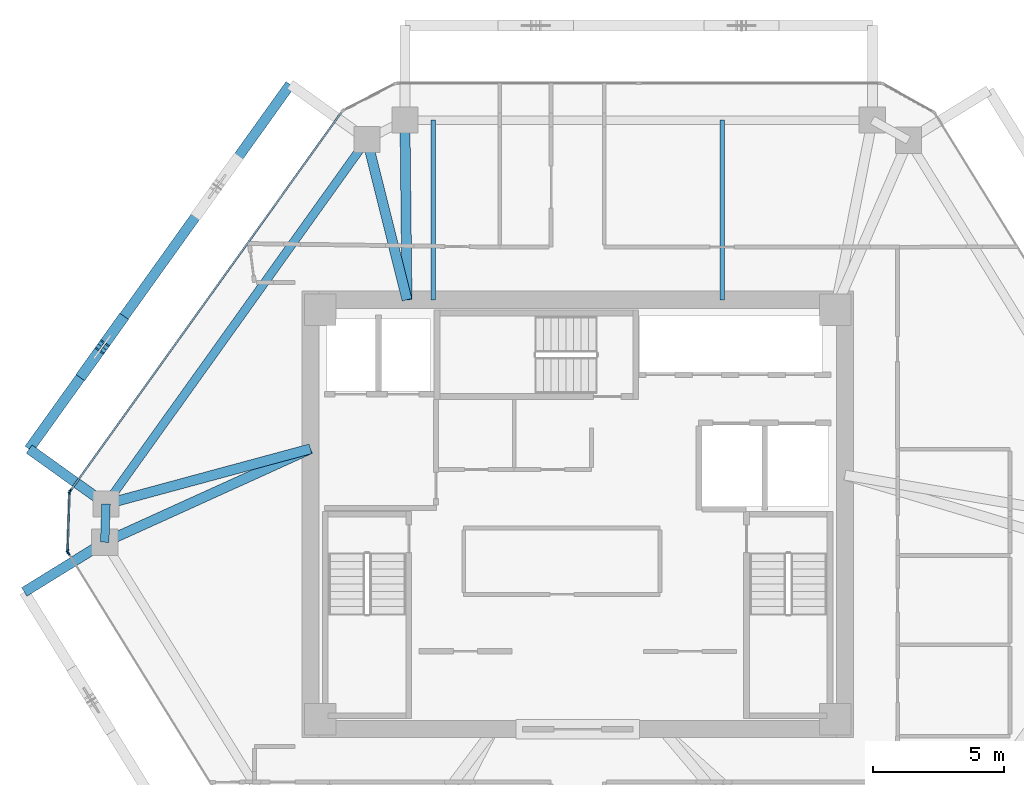
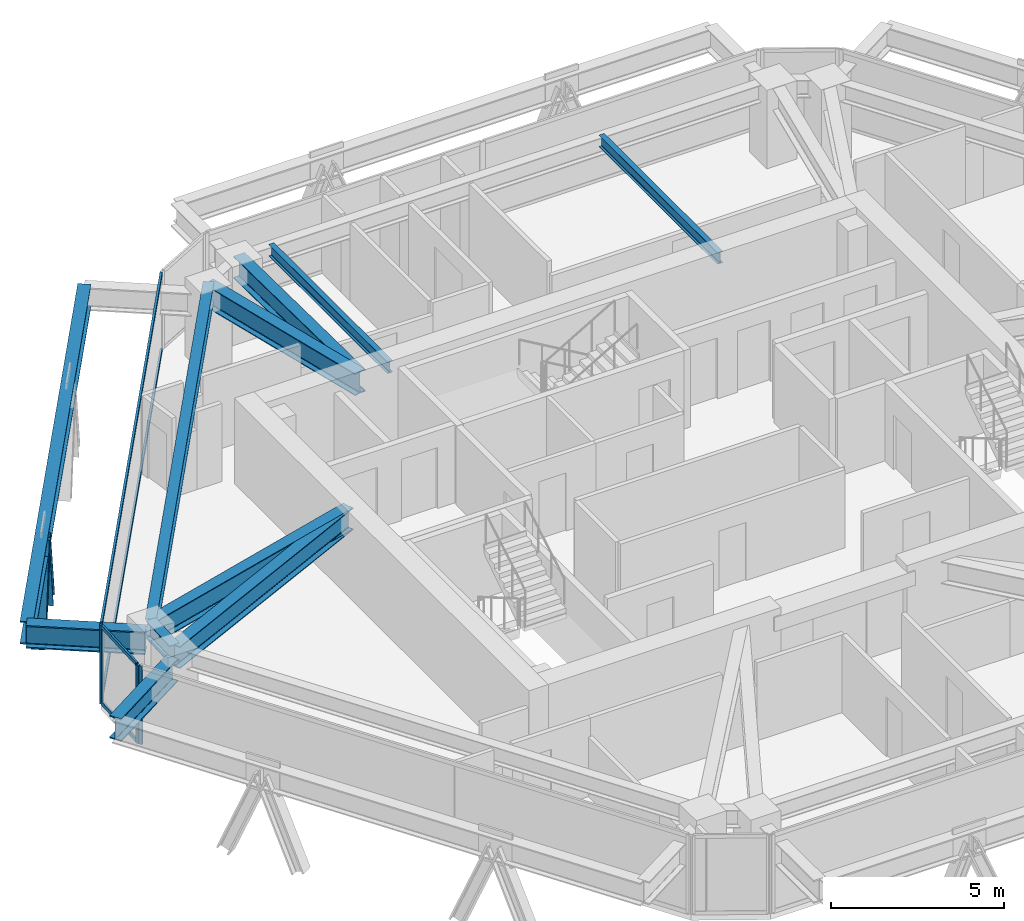
# One storey, part 4 of 14: 11 beams, 10 members, 3 elements without a shape of their own.
"""IFC4 building model written with IfcOpenShell, lengths in metres."""

from ifc_helpers import new_model, si_unit, direction, frame, origin, origin_2d, place, context, subcontext, project, spatial, rectangle, i_section, extrude, source, transform, mapped, material, layer, layer_set, material_profile, profile_set, type_object, type_shapes, element, aggregate, save


model = new_model("IFC4")

# Units and contexts
model_context = context("Model", 3, precision=1e-05, world=origin(), true_north=direction((0.0, 1.0)))
body_context = subcontext(model_context, "Body", "Model", "MODEL_VIEW")
ifc_project = project(units=[si_unit("LENGTHUNIT", "METRE"), si_unit("AREAUNIT", "SQUARE_METRE"), si_unit("VOLUMEUNIT", "CUBIC_METRE"), si_unit("PLANEANGLEUNIT", "RADIAN"), si_unit("MASSUNIT", "GRAM", prefix="KILO")], contexts=[model_context])

# Site, building, storey
site_placement = place(None, origin())
site = spatial("IfcSite", under=ifc_project, at=site_placement, CompositionType="ELEMENT")
building_placement = place(site_placement, origin())
building = spatial("IfcBuilding", under=site, at=building_placement, Name="Durnholm Broadcast Tower", CompositionType="ELEMENT")
storey_placement = place(building_placement, frame((0.0, 0.0, 200.199951171875)))
storey = spatial("IfcBuildingStorey", under=building, at=storey_placement, Name="L55", CompositionType="ELEMENT", Elevation=200.199951171875)

# Beams
ifc_material_1 = material(Name="Steel ASTM A992 Grade 50", Category="steel")
ifc_material_profile_1 = material_profile(ifc_material_1, i_section(OverallWidth=0.385009765625, OverallDepth=0.802978515625, WebThickness=0.023681640625, FlangeThickness=0.0419921875, FilletRadius=0.032958984375, at=origin_2d()), Name="W30X261")
ifc_profile_set_1 = profile_set([ifc_material_profile_1], Name="Steel ASTM A992 Grade 50")
beam_type_1 = type_object("IfcBeamType", Name="BM-EXO-TIE", PredefinedType="USERDEFINED", material=ifc_profile_set_1)
shared_shape_1 = source(origin(), body_context, "Body", "SweptSolid", [
    extrude(i_section(OverallWidth=0.385009765625, OverallDepth=0.802978515625, WebThickness=0.023681640625, FlangeThickness=0.0419921875, FilletRadius=0.032958984375, at=origin_2d()), origin(), (0.0, 0.0, 1.0), 3.4560546875),
])
beam_1_placement = place(storey_placement, frame((-18.131591796875, -1.13232421875, 2.008544921875), z_axis=(-0.850662348375, -0.525712439512, 0.0), x_axis=(0.525712439512, -0.850662348375, 0.0)))
element("IfcBeam", 1, at=beam_1_placement, inside=storey, type_object=beam_type_1, Name="L55 exoskeleton stand-off tie bracket F6.1", ObjectType="GIRDER", PredefinedType="USERDEFINED", context=body_context, shape_type="MappedRepresentation", body=[
    mapped(shared_shape_1, transform((0.0, 0.0, 0.0), x_axis=(1.0, 0.0, 0.0), y_axis=(0.0, 1.0, 0.0), z_axis=(0.0, 0.0, 1.0), scale=1.0)),
])
shared_shape_2 = source(origin(), body_context, "Body", "SweptSolid", [
    extrude(i_section(OverallWidth=0.385009765625, OverallDepth=0.802978515625, WebThickness=0.023681640625, FlangeThickness=0.0419921875, FilletRadius=0.032958984375, at=origin_2d()), origin(), (0.0, 0.0, 1.0), 3.455810546875),
])
beam_2_placement = place(storey_placement, frame((-18.076904296875, 0.4794921875, 2.008544921875), z_axis=(-0.813112485828, 0.582106592808, 0.0), x_axis=(-0.582106592808, -0.813112485828, 0.0)))
element("IfcBeam", 2, at=beam_2_placement, inside=storey, type_object=beam_type_1, Name="L55 exoskeleton stand-off tie bracket F5.2", ObjectType="GIRDER", PredefinedType="USERDEFINED", context=body_context, shape_type="MappedRepresentation", body=[
    mapped(shared_shape_2, transform((0.0, 0.0, 0.0), x_axis=(1.0, 0.0, 0.0), y_axis=(0.0, 1.0, 0.0), z_axis=(0.0, 0.0, 1.0), scale=1.0)),
])
ifc_material_profile_2 = material_profile(ifc_material_1, i_section(OverallWidth=0.3251953125, OverallDepth=0.6162109375, WebThickness=0.013916015625, FlangeThickness=0.021484375, FilletRadius=0.02783203125, at=origin_2d()), Name="W24X117")
ifc_profile_set_2 = profile_set([ifc_material_profile_2], Name="Steel ASTM A992 Grade 50")
beam_type_2 = type_object("IfcBeamType", Name="STL-SP-W24X117", PredefinedType="SPANDREL", material=ifc_profile_set_2)
shared_shape_3 = source(origin(), body_context, "Body", "SweptSolid", [
    extrude(i_section(OverallWidth=0.3251953125, OverallDepth=0.6162109375, WebThickness=0.013916015625, FlangeThickness=0.021484375, FilletRadius=0.02783203125, at=origin_2d()), origin(), (0.0, 0.0, 1.0), 1.452880859375),
])
beam_3_placement = place(storey_placement, frame((-18.009033203125, -1.056640625, 2.43701171875), z_axis=(0.03377359304, 0.999429509477, 0.0), x_axis=(-0.999429509477, 0.03377359304, 0.0)))
element("IfcBeam", 3, at=beam_3_placement, inside=storey, type_object=beam_type_2, Name="L55 perimeter spandrel girder 02", PredefinedType="SPANDREL", context=body_context, shape_type="MappedRepresentation", body=[
    mapped(shared_shape_3, transform((0.0, 0.0, 0.0), x_axis=(1.0, 0.0, 0.0), y_axis=(0.0, 1.0, 0.0), z_axis=(0.0, 0.0, 1.0), scale=1.0)),
])
shared_shape_4 = source(origin(), body_context, "Body", "SweptSolid", [
    extrude(i_section(OverallWidth=0.3251953125, OverallDepth=0.6162109375, WebThickness=0.013916015625, FlangeThickness=0.021484375, FilletRadius=0.02783203125, at=origin_2d()), origin(), (0.0, 0.0, 1.0), 17.07177734375),
])
type_shapes(beam_type_2, [shared_shape_3, shared_shape_4])
beam_4_placement = place(storey_placement, frame((-17.9599609375, 0.3955078125, 2.43701171875), z_axis=(0.582142843258, 0.813086532937, 0.0), x_axis=(-0.813086532937, 0.582142843258, 0.0)))
element("IfcBeam", 4, at=beam_4_placement, inside=storey, type_object=beam_type_2, Name="L55 perimeter spandrel girder 03", PredefinedType="SPANDREL", context=body_context, shape_type="MappedRepresentation", body=[
    mapped(shared_shape_4, transform((0.0, 0.0, 0.0), x_axis=(1.0, 0.0, 0.0), y_axis=(0.0, 1.0, 0.0), z_axis=(0.0, 0.0, 1.0), scale=1.0)),
])
shared_shape_5 = source(origin(), body_context, "Body", "SweptSolid", [
    extrude(i_section(OverallWidth=0.385009765625, OverallDepth=0.802978515625, WebThickness=0.023681640625, FlangeThickness=0.0419921875, FilletRadius=0.032958984375, at=origin_2d()), origin(), (0.0, 0.0, 1.0), 17.07177734375),
])
type_shapes(beam_type_1, [shared_shape_1, shared_shape_2, shared_shape_5])
beam_5_placement = place(storey_placement, frame((-10.948974609375, 16.3720703125, 2.008544921875), z_axis=(-0.582133388739, -0.813093301974, 0.0), x_axis=(0.813093301974, -0.582133388739, 0.0)))
element("IfcBeam", 5, at=beam_5_placement, inside=storey, type_object=beam_type_1, Name="L55 exoskeleton collector spandrel F5", PredefinedType="SPANDREL", context=body_context, shape_type="MappedRepresentation", body=[
    mapped(shared_shape_5, transform((0.0, 0.0, 0.0), x_axis=(1.0, 0.0, 0.0), y_axis=(0.0, 1.0, 0.0), z_axis=(0.0, 0.0, 1.0), scale=1.0)),
])
ifc_material_profile_3 = material_profile(ifc_material_1, i_section(OverallWidth=0.380615234375, OverallDepth=0.773193359375, WebThickness=0.0166015625, FlangeThickness=0.027099609375, FilletRadius=0.032958984375, at=origin_2d()), Name="W30X173")
ifc_profile_set_3 = profile_set([ifc_material_profile_3], Name="Steel ASTM A992 Grade 50")
beam_type_3 = type_object("IfcBeamType", Name="STL-GR-W30X173", PredefinedType="USERDEFINED", material=ifc_profile_set_3)
shared_shape_6 = source(origin(), body_context, "Body", "SweptSolid", [
    extrude(i_section(OverallWidth=0.380615234375, OverallDepth=0.773193359375, WebThickness=0.0166015625, FlangeThickness=0.027099609375, FilletRadius=0.032958984375, at=origin_2d()), origin(), (0.0, 0.0, 1.0), 8.603515625),
])
beam_6_placement = place(storey_placement, frame((-10.175048828125, 2.5, 2.3583984375), z_axis=(-0.910552971728, -0.413392411248, 0.0), x_axis=(0.413392411248, -0.910552971728, 0.0)))
element("IfcBeam", 6, at=beam_6_placement, inside=storey, type_object=beam_type_3, Name="L55 radial primary floor girder 02", ObjectType="GIRDER", PredefinedType="USERDEFINED", context=body_context, shape_type="MappedRepresentation", body=[
    mapped(shared_shape_6, transform((0.0, 0.0, 0.0), x_axis=(1.0, 0.0, 0.0), y_axis=(0.0, 1.0, 0.0), z_axis=(0.0, 0.0, 1.0), scale=1.0)),
])
shared_shape_7 = source(origin(), body_context, "Body", "SweptSolid", [
    extrude(i_section(OverallWidth=0.380615234375, OverallDepth=0.773193359375, WebThickness=0.0166015625, FlangeThickness=0.027099609375, FilletRadius=0.032958984375, at=origin_2d()), origin(), (0.0, 0.0, 1.0), 8.064453125),
])
beam_7_placement = place(storey_placement, frame((-10.175048828125, 2.5, 2.3583984375), z_axis=(-0.96534896552, -0.260962401066, 0.0), x_axis=(0.260962401066, -0.96534896552, 0.0)))
element("IfcBeam", 7, at=beam_7_placement, inside=storey, type_object=beam_type_3, Name="L55 radial primary floor girder 03", ObjectType="GIRDER", PredefinedType="USERDEFINED", context=body_context, shape_type="MappedRepresentation", body=[
    mapped(shared_shape_7, transform((0.0, 0.0, 0.0), x_axis=(1.0, 0.0, 0.0), y_axis=(0.0, 1.0, 0.0), z_axis=(0.0, 0.0, 1.0), scale=1.0)),
])
shared_shape_8 = source(origin(), body_context, "Body", "SweptSolid", [
    extrude(i_section(OverallWidth=0.380615234375, OverallDepth=0.773193359375, WebThickness=0.0166015625, FlangeThickness=0.027099609375, FilletRadius=0.032958984375, at=origin_2d()), origin(), (0.0, 0.0, 1.0), 6.288330078125),
])
beam_8_placement = place(storey_placement, frame((-6.5, 8.175048828125, 2.3583984375), z_axis=(-0.241996604408, 0.970277096223, 0.0), x_axis=(-0.970277096223, -0.241996604408, 0.0)))
element("IfcBeam", 8, at=beam_8_placement, inside=storey, type_object=beam_type_3, Name="L55 radial primary floor girder 04", ObjectType="GIRDER", PredefinedType="USERDEFINED", context=body_context, shape_type="MappedRepresentation", body=[
    mapped(shared_shape_8, transform((0.0, 0.0, 0.0), x_axis=(1.0, 0.0, 0.0), y_axis=(0.0, 1.0, 0.0), z_axis=(0.0, 0.0, 1.0), scale=1.0)),
])
shared_shape_9 = source(origin(), body_context, "Body", "SweptSolid", [
    extrude(i_section(OverallWidth=0.380615234375, OverallDepth=0.773193359375, WebThickness=0.0166015625, FlangeThickness=0.027099609375, FilletRadius=0.032958984375, at=origin_2d()), origin(), (0.0, 0.0, 1.0), 6.843505859375),
])
type_shapes(beam_type_3, [shared_shape_6, shared_shape_7, shared_shape_8, shared_shape_9])
beam_9_placement = place(storey_placement, frame((-6.5, 8.175048828125, 2.3583984375), z_axis=(-0.011487343604, 0.999934018292, 0.0), x_axis=(-0.999934018292, -0.011487343604, 0.0)))
element("IfcBeam", 9, at=beam_9_placement, inside=storey, type_object=beam_type_3, Name="L55 radial primary floor girder 05", ObjectType="GIRDER", PredefinedType="USERDEFINED", context=body_context, shape_type="MappedRepresentation", body=[
    mapped(shared_shape_9, transform((0.0, 0.0, 0.0), x_axis=(1.0, 0.0, 0.0), y_axis=(0.0, 1.0, 0.0), z_axis=(0.0, 0.0, 1.0), scale=1.0)),
])
ifc_material_profile_4 = material_profile(ifc_material_1, i_section(OverallWidth=0.177734375, OverallDepth=0.40673828125, WebThickness=0.0078125, FlangeThickness=0.0126953125, FilletRadius=0.01904296875, at=origin_2d()), Name="W16X40")
ifc_profile_set_4 = profile_set([ifc_material_profile_4], Name="Steel ASTM A992 Grade 50")
beam_type_4 = type_object("IfcBeamType", Name="STL-BJ-W16X40", PredefinedType="JOIST", material=ifc_profile_set_4)
shared_shape_10 = source(origin(), body_context, "Body", "SweptSolid", [
    extrude(i_section(OverallWidth=0.177734375, OverallDepth=0.40673828125, WebThickness=0.0078125, FlangeThickness=0.0126953125, FilletRadius=0.01904296875, at=origin_2d()), origin(), (0.0, 0.0, 1.0), 6.843017578125),
])
type_shapes(beam_type_4, [shared_shape_10])
for number, where, z_axis, x_axis, name in (
    (10, (-5.5, 8.175048828125, 2.541748046875), (0.0, 1.0, 0.0), (-1.0, 0.0, 0.0), "L55 secondary floor joist 3.2"),
    (11, (5.5, 8.175048828125, 2.541748046875), (0.0, 1.0, 0.0), (-1.0, 0.0, 0.0), "L55 secondary floor joist 4.2"),
):
    element("IfcBeam", number, at=place(storey_placement, frame(where, z_axis=z_axis, x_axis=x_axis)), inside=storey, type_object=beam_type_4, Name=name, PredefinedType="JOIST", context=body_context, shape_type="MappedRepresentation", body=[
        mapped(shared_shape_10, transform((0.0, 0.0, 0.0), x_axis=(1.0, 0.0, 0.0), y_axis=(0.0, 1.0, 0.0), z_axis=(0.0, 0.0, 1.0), scale=1.0)),
    ])

# Members
ifc_material_2 = material(Name="Steel ASTM A913 Grade 65", Category="steel")
ifc_material_profile_5 = material_profile(ifc_material_2, i_section(OverallWidth=0.412109375, OverallDepth=0.434814453125, WebThickness=0.035888671875, FlangeThickness=0.057373046875, FilletRadius=0.030517578125, at=origin_2d()), Name="W14X311")
ifc_profile_set_5 = profile_set([ifc_material_profile_5], Name="Steel ASTM A913 Grade 65")
member_type_1 = type_object("IfcMemberType", Name="STL-DG-W14X311", PredefinedType="BRACE", material=ifc_profile_set_5)
shared_shape_11 = source(origin(), body_context, "Body", "SweptSolid", [
    extrude(i_section(OverallWidth=0.412109375, OverallDepth=0.434814453125, WebThickness=0.035888671875, FlangeThickness=0.057373046875, FilletRadius=0.030517578125, at=origin_2d()), origin(), (0.0, 0.0, 1.0), 3.24365234375),
])
member_1_placement = place(storey_placement, frame((-18.822509765625, 5.374755859375, -0.991455078125), z_axis=(0.22135424125, 0.309263712104, 0.924855802953), x_axis=(-0.813171482985, 0.58202417412, 0.0)))
element("IfcMember", 12, at=member_1_placement, inside=storey, type_object=member_type_1, Name="L55 stand-off diagrid brace F5.D2.2", PredefinedType="BRACE", context=body_context, shape_type="MappedRepresentation", body=[
    mapped(shared_shape_11, transform((0.0, 0.0, 0.0), x_axis=(1.0, 0.0, 0.0), y_axis=(0.0, 1.0, 0.0), z_axis=(0.0, 0.0, 1.0), scale=1.0)),
])
shared_shape_12 = source(origin(), body_context, "Body", "SweptSolid", [
    extrude(i_section(OverallWidth=0.412109375, OverallDepth=0.434814453125, WebThickness=0.035888671875, FlangeThickness=0.057373046875, FilletRadius=0.030517578125, at=origin_2d()), origin(), (0.0, 0.0, 1.0), 3.243896484375),
])
type_shapes(member_type_1, [shared_shape_11, shared_shape_12])
member_2_placement = place(storey_placement, frame((-17.38623046875, 7.381103515625, -0.991455078125), z_axis=(-0.22142581661, -0.309258558956, 0.92484039242), x_axis=(0.813077820009, -0.582155012526, 0.0)))
element("IfcMember", 13, at=member_2_placement, inside=storey, type_object=member_type_1, Name="L55 stand-off diagrid brace F5.D2.1", PredefinedType="BRACE", context=body_context, shape_type="MappedRepresentation", body=[
    mapped(shared_shape_12, transform((0.0, 0.0, 0.0), x_axis=(1.0, 0.0, 0.0), y_axis=(0.0, 1.0, 0.0), z_axis=(0.0, 0.0, 1.0), scale=1.0)),
])

# Curtain wall, members
ifc_material_3 = material(Name="Aluminium and Solar Control IGU", Category="aluminium")
ifc_layer_1 = layer(ifc_material_3, 0.1650390625)
ifc_layer_set_1 = layer_set([ifc_layer_1], Name="Aluminium and Solar Control IGU")
curtain_wall_type_1 = type_object("IfcCurtainWallType", Name="CW-SYS-5", PredefinedType="NOTDEFINED", material=ifc_layer_set_1)
curtain_wall_1_placement = place(storey_placement, origin())
curtain_wall_1 = element("IfcCurtainWall", 14, at=curtain_wall_1_placement, inside=storey, type_object=curtain_wall_type_1, Name="L55 curtain wall CW-CORNER CW-L55-CRN-01", PredefinedType="NOTDEFINED")
ifc_material_4 = material(Name="Aluminium 6063-T6", Category="aluminium")
ifc_material_profile_6 = material_profile(ifc_material_4, rectangle(XDim=0.06494140625, YDim=0.1650390625, at=origin_2d()), Name="CWM65X165")
ifc_profile_set_6 = profile_set([ifc_material_profile_6], Name="Aluminium 6063-T6")
member_type_2 = type_object("IfcMemberType", Name="CW-SYS-5-MUL", PredefinedType="MULLION", material=ifc_profile_set_6)
shared_shape_13 = source(origin(), body_context, "Body", "SweptSolid", [
    extrude(rectangle(XDim=0.06494140625, YDim=0.1650390625, at=origin_2d()), origin(), (0.0, 0.0, 1.0), 2.760009765625),
])
type_shapes(member_type_2, [shared_shape_13])
member_3_placement = place(storey_placement, frame((-19.421630859375, -1.39990234375, 0.0), z_axis=(0.0, 0.0, 1.0), x_axis=(-0.999424798802, 0.033912704699, 0.0)))
member_3 = element("IfcMember", 15, at=member_3_placement, type_object=member_type_2, Name="CW-CORNER mullion 1", PredefinedType="MULLION", context=body_context, shape_type="MappedRepresentation", body=[
    mapped(shared_shape_13, transform((0.0, 0.0, 0.0), x_axis=(1.0, 0.0, 0.0), y_axis=(0.0, 1.0, 0.0), z_axis=(0.0, 0.0, 1.0), scale=1.0)),
])
member_4_placement = place(storey_placement, frame((-19.345703125, 0.833740234375, 0.0), z_axis=(0.0, 0.0, 1.0), x_axis=(-0.999424798802, 0.033912704699, 0.0)))
member_4 = element("IfcMember", 16, at=member_4_placement, type_object=member_type_2, Name="CW-CORNER mullion 2", PredefinedType="MULLION", context=body_context, shape_type="MappedRepresentation", body=[
    mapped(shared_shape_13, transform((0.0, 0.0, 0.0), x_axis=(1.0, 0.0, 0.0), y_axis=(0.0, 1.0, 0.0), z_axis=(0.0, 0.0, 1.0), scale=1.0)),
])
ifc_material_profile_7 = material_profile(ifc_material_4, rectangle(XDim=0.06494140625, YDim=0.1298828125, at=origin_2d()), Name="CWT65X130")
ifc_profile_set_7 = profile_set([ifc_material_profile_7], Name="Aluminium 6063-T6")
member_type_3 = type_object("IfcMemberType", Name="CW-SYS-5-TRN", PredefinedType="USERDEFINED", material=ifc_profile_set_7)
shared_shape_14 = source(origin(), body_context, "Body", "SweptSolid", [
    extrude(rectangle(XDim=0.06494140625, YDim=0.1298828125, at=origin_2d()), origin(), (0.0, 0.0, 1.0), 2.169921875),
])
type_shapes(member_type_3, [shared_shape_14])
member_5_placement = place(storey_placement, frame((-19.42041015625, -1.367431640625, 0.032470703125), z_axis=(0.033865512339, 0.999426399028, 0.0), x_axis=(-0.999426399028, 0.033865512339, 0.0)))
member_5 = element("IfcMember", 17, at=member_5_placement, type_object=member_type_3, Name="CW-CORNER transom 1.1", ObjectType="TRANSOM", PredefinedType="USERDEFINED", context=body_context, shape_type="MappedRepresentation", body=[
    mapped(shared_shape_14, transform((0.0, 0.0, 0.0), x_axis=(1.0, 0.0, 0.0), y_axis=(0.0, 1.0, 0.0), z_axis=(0.0, 0.0, 1.0), scale=1.0)),
])
member_6_placement = place(storey_placement, frame((-19.42041015625, -1.367431640625, 2.7275390625), z_axis=(0.033865512339, 0.999426399028, 0.0), x_axis=(-0.999426399028, 0.033865512339, 0.0)))
member_6 = element("IfcMember", 18, at=member_6_placement, type_object=member_type_3, Name="CW-CORNER transom 1.2", ObjectType="TRANSOM", PredefinedType="USERDEFINED", context=body_context, shape_type="MappedRepresentation", body=[
    mapped(shared_shape_14, transform((0.0, 0.0, 0.0), x_axis=(1.0, 0.0, 0.0), y_axis=(0.0, 1.0, 0.0), z_axis=(0.0, 0.0, 1.0), scale=1.0)),
])
aggregate(curtain_wall_1, [member_3, member_4, member_5, member_6])

ifc_layer_2 = layer(ifc_material_3, 0.18994140625)
ifc_layer_set_2 = layer_set([ifc_layer_2], Name="Aluminium and Solar Control IGU")
curtain_wall_type_2 = type_object("IfcCurtainWallType", Name="CW-SYS-4", PredefinedType="NOTDEFINED", material=ifc_layer_set_2)
curtain_wall_2_placement = place(storey_placement, origin())
curtain_wall_2 = element("IfcCurtainWall", 19, at=curtain_wall_2_placement, inside=storey, type_object=curtain_wall_type_2, Name="L55 curtain wall CW-Z34-VIS CW-L55-F02", PredefinedType="NOTDEFINED")
ifc_material_profile_8 = material_profile(ifc_material_4, rectangle(XDim=0.070068359375, YDim=0.14990234375, at=origin_2d()), Name="CWT70X150")
ifc_profile_set_8 = profile_set([ifc_material_profile_8], Name="Aluminium 6063-T6")
member_type_4 = type_object("IfcMemberType", Name="CW-SYS-4-TRN", PredefinedType="USERDEFINED", material=ifc_profile_set_8)
shared_shape_15 = source(origin(), body_context, "Body", "SweptSolid", [
    extrude(rectangle(XDim=0.070068359375, YDim=0.14990234375, at=origin_2d()), origin(), (0.0, 0.0, 1.0), 17.69384765625),
])
type_shapes(member_type_4, [shared_shape_15])
member_7_placement = place(storey_placement, frame((-19.303955078125, 0.923095703125, 0.03515625), z_axis=(0.582138438195, 0.813089686797, 0.0), x_axis=(-0.813089686797, 0.582138438195, 0.0)))
member_7 = element("IfcMember", 20, at=member_7_placement, type_object=member_type_4, Name="CW-Z34-VIS transom 1.1", ObjectType="TRANSOM", PredefinedType="USERDEFINED", context=body_context, shape_type="MappedRepresentation", body=[
    mapped(shared_shape_15, transform((0.0, 0.0, 0.0), x_axis=(1.0, 0.0, 0.0), y_axis=(0.0, 1.0, 0.0), z_axis=(0.0, 0.0, 1.0), scale=1.0)),
])
member_8_placement = place(storey_placement, frame((-19.303955078125, 0.923095703125, 2.72509765625), z_axis=(0.582138438195, 0.813089686797, 0.0), x_axis=(-0.813089686797, 0.582138438195, 0.0)))
member_8 = element("IfcMember", 21, at=member_8_placement, type_object=member_type_4, Name="CW-Z34-VIS transom 1.2", ObjectType="TRANSOM", PredefinedType="USERDEFINED", context=body_context, shape_type="MappedRepresentation", body=[
    mapped(shared_shape_15, transform((0.0, 0.0, 0.0), x_axis=(1.0, 0.0, 0.0), y_axis=(0.0, 1.0, 0.0), z_axis=(0.0, 0.0, 1.0), scale=1.0)),
])
ifc_material_profile_9 = material_profile(ifc_material_4, rectangle(XDim=0.070068359375, YDim=0.18994140625, at=origin_2d()), Name="CWM70X190")
ifc_profile_set_9 = profile_set([ifc_material_profile_9], Name="Aluminium 6063-T6")
member_type_5 = type_object("IfcMemberType", Name="CW-SYS-4-MUL", PredefinedType="MULLION", material=ifc_profile_set_9)
shared_shape_16 = source(origin(), body_context, "Body", "SweptSolid", [
    extrude(rectangle(XDim=0.070068359375, YDim=0.18994140625, at=origin_2d()), origin(), (0.0, 0.0, 1.0), 2.760009765625),
])
type_shapes(member_type_5, [shared_shape_16])
member_9_placement = place(storey_placement, frame((-19.32421875, 0.894775390625, 0.0), z_axis=(0.0, 0.0, 1.0), x_axis=(-0.813089262696, 0.582139030549, 0.0)))
member_9 = element("IfcMember", 22, at=member_9_placement, type_object=member_type_5, Name="CW-Z34-VIS mullion 1", PredefinedType="MULLION", context=body_context, shape_type="MappedRepresentation", body=[
    mapped(shared_shape_16, transform((0.0, 0.0, 0.0), x_axis=(1.0, 0.0, 0.0), y_axis=(0.0, 1.0, 0.0), z_axis=(0.0, 0.0, 1.0), scale=1.0)),
])
aggregate(curtain_wall_2, [member_9, member_7, member_8])

# Curtain wall, member
curtain_wall_3_placement = place(storey_placement, origin())
curtain_wall_3 = element("IfcCurtainWall", 23, at=curtain_wall_3_placement, inside=storey, type_object=curtain_wall_type_2, Name="L55 curtain wall CW-Z34-VIS CW-L55-F12", PredefinedType="NOTDEFINED")
member_10_placement = place(storey_placement, frame((-19.404296875, -1.462158203125, 0.0), z_axis=(0.0, 0.0, 1.0), x_axis=(-0.850671426092, -0.525697750452, 0.0)))
member_10 = element("IfcMember", 24, at=member_10_placement, type_object=member_type_5, Name="CW-Z34-VIS mullion 2", PredefinedType="MULLION", context=body_context, shape_type="MappedRepresentation", body=[
    mapped(shared_shape_16, transform((0.0, 0.0, 0.0), x_axis=(1.0, 0.0, 0.0), y_axis=(0.0, 1.0, 0.0), z_axis=(0.0, 0.0, 1.0), scale=1.0)),
])
aggregate(curtain_wall_3, [member_10])

save(model, "model.ifc")
